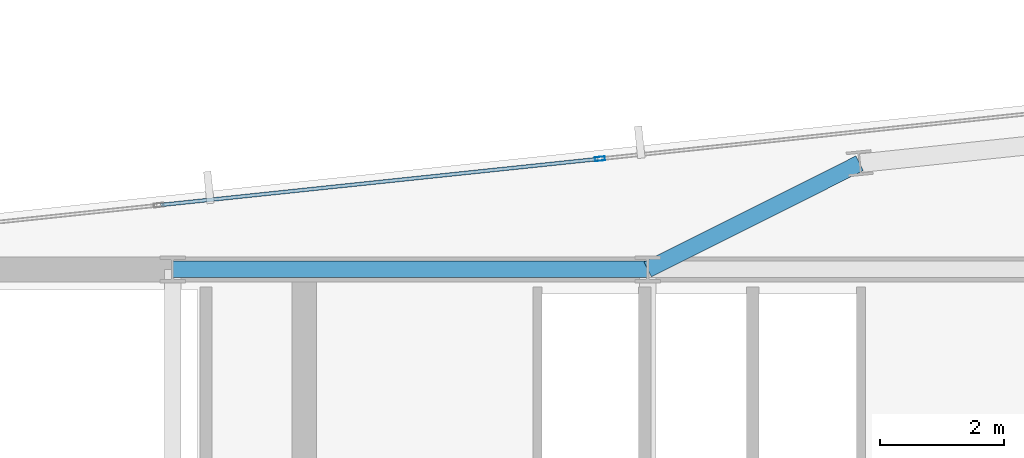
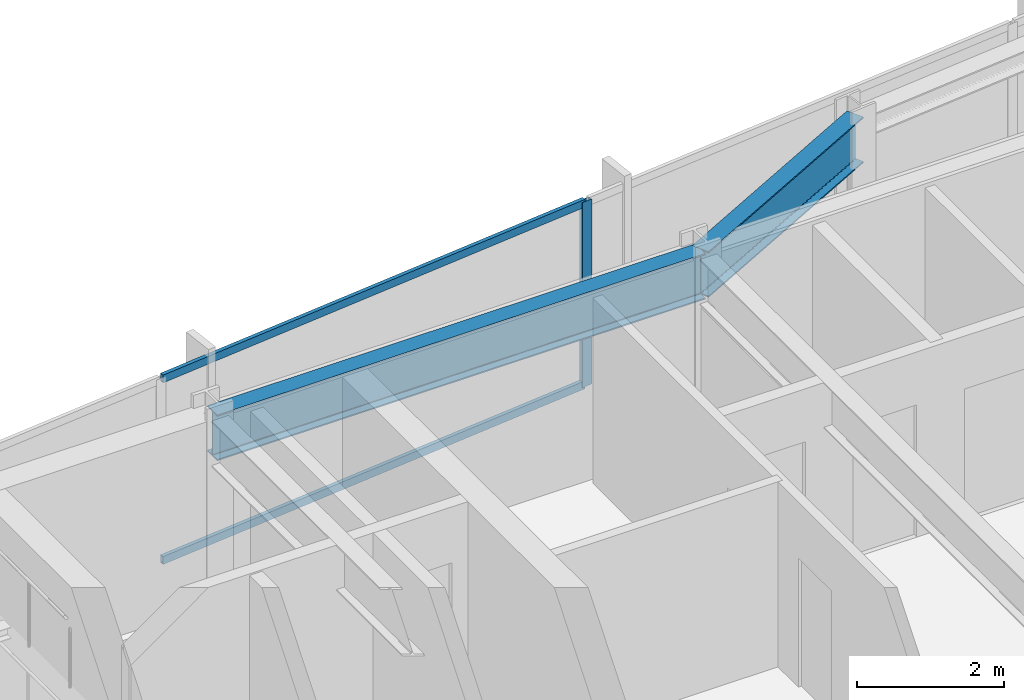
# One storey, part 21 of 33: 3 members, 2 beams, 1 element without a shape of its own.
"""IFC4 building model written with IfcOpenShell, lengths in metres."""

from ifc_helpers import new_model, si_unit, direction, frame, origin, origin_2d, place, context, subcontext, project, spatial, hollow_rectangle, i_section, extrude, material, material_profile, profile_set, type_object, element, aggregate, save


model = new_model("IFC4")

# Units and contexts
model_context = context("Model", 3, precision=1e-05, world=origin(), true_north=direction((0.0, 1.0)))
body_context = subcontext(model_context, "Body", "Model", "MODEL_VIEW")
ifc_project = project(units=[si_unit("LENGTHUNIT", "METRE"), si_unit("AREAUNIT", "SQUARE_METRE"), si_unit("VOLUMEUNIT", "CUBIC_METRE"), si_unit("PLANEANGLEUNIT", "RADIAN"), si_unit("MASSUNIT", "GRAM", prefix="KILO")], contexts=[model_context])

# Site, building, storey
site_placement = place(None, origin())
site = spatial("IfcSite", under=ifc_project, at=site_placement, CompositionType="ELEMENT")
building_placement = place(site_placement, origin())
building = spatial("IfcBuilding", under=site, at=building_placement, Name="Yelkora Congress Tower", CompositionType="ELEMENT")
storey_placement = place(building_placement, frame((0.0, 0.0, 224.300048828125)))
storey = spatial("IfcBuildingStorey", under=building, at=storey_placement, Name="L62", CompositionType="ELEMENT", Elevation=224.300048828125)

# Beams
ifc_material_1 = material(Name="Steel S355J2", Category="steel")
ifc_material_profile_1 = material_profile(ifc_material_1, i_section(OverallWidth=0.26708984375, OverallDepth=0.761962890625, WebThickness=0.014404296875, FlangeThickness=0.021484375, FilletRadius=0.01708984375, at=origin_2d()), Name="IPE 750x173")
ifc_profile_set_1 = profile_set([ifc_material_profile_1], Name="Steel S355J2")
beam_type = type_object("IfcBeamType", Name="BM-GIRD-IPE750", PredefinedType="BEAM", material=ifc_profile_set_1)
beam_1_placement = place(storey_placement, frame((30.719970703125, 46.199951171875, 2.698974609375), z_axis=(1.0, 0.0, 0.0), x_axis=(0.0, 1.0, 0.0)))
element("IfcBeam", 1, at=beam_1_placement, inside=storey, type_object=beam_type, Name="L62 Core North Girder 3", PredefinedType="BEAM", context=body_context, shape_type="SweptSolid", body=[
    extrude(i_section(OverallWidth=0.26708984375, OverallDepth=0.761962890625, WebThickness=0.014404296875, FlangeThickness=0.021484375, FilletRadius=0.01708984375, at=origin_2d()), origin(), (0.0, 0.0, 1.0), 7.679931640625),
])
beam_2_placement = place(storey_placement, frame((41.828125, 47.91748046875, 2.698974609375), z_axis=(-0.894070348256, -0.447926570288, 0.0), x_axis=(0.447926570288, -0.894070348256, 0.0)))
element("IfcBeam", 2, at=beam_2_placement, inside=storey, type_object=beam_type, Name="L62 Primary Frame Girder N04", PredefinedType="BEAM", context=body_context, shape_type="SweptSolid", body=[
    extrude(i_section(OverallWidth=0.26708984375, OverallDepth=0.761962890625, WebThickness=0.014404296875, FlangeThickness=0.021484375, FilletRadius=0.01708984375, at=origin_2d()), origin(), (0.0, 0.0, 1.0), 3.83447265625),
])

# Curtain wall, members
ifc_material_2 = material(Name="Anodised aluminium and insulated glass", Category="aluminium")
curtain_wall_type = type_object("IfcCurtainWallType", Name="CW-SYS-B4", PredefinedType="NOTDEFINED", material=ifc_material_2)
curtain_wall_placement = place(storey_placement, origin())
curtain_wall = element("IfcCurtainWall", 3, at=curtain_wall_placement, inside=storey, type_object=curtain_wall_type, Name="L62 Unitised Curtain Wall 10 (3)", PredefinedType="NOTDEFINED")
ifc_material_3 = material(Name="Anodised aluminium 6063-T6", Category="aluminium")
ifc_material_profile_2 = material_profile(ifc_material_3, hollow_rectangle(XDim=0.06494140625, YDim=0.159912109375, WallThickness=0.00390625, at=origin_2d()), Name="ALU 65x160x4")
ifc_profile_set_2 = profile_set([ifc_material_profile_2], Name="Anodised aluminium 6063-T6")
member_type_1 = type_object("IfcMemberType", Name="MEM-ML-B4", PredefinedType="MULLION", material=ifc_profile_set_2)
member_1_placement = place(storey_placement, frame((37.62744140625, 47.98876953125, 0.0), z_axis=(0.0, 0.0, 1.0), x_axis=(-0.104527724021, 0.994521973066, 0.0)))
member_1 = element("IfcMember", 4, at=member_1_placement, type_object=member_type_1, Name="CW-B4 mullion 3", PredefinedType="MULLION", context=body_context, shape_type="SweptSolid", body=[
    extrude(hollow_rectangle(XDim=0.06494140625, YDim=0.159912109375, WallThickness=0.00390625, at=origin_2d()), origin(), (0.0, 0.0, 1.0), 3.079833984375),
])
ifc_material_profile_3 = material_profile(ifc_material_3, hollow_rectangle(XDim=0.06005859375, YDim=0.1298828125, WallThickness=0.00390625, at=origin_2d()), Name="ALU 60x130x4")
ifc_profile_set_3 = profile_set([ifc_material_profile_3], Name="Anodised aluminium 6063-T6")
member_type_2 = type_object("IfcMemberType", Name="MEM-TR-B4", PredefinedType="USERDEFINED", material=ifc_profile_set_3)
member_2_placement = place(storey_placement, frame((30.529052734375, 47.24267578125, 0.030029296875), z_axis=(0.99452200925, 0.104527379751, 0.0), x_axis=(-0.104527379751, 0.99452200925, 0.0)))
member_2 = element("IfcMember", 5, at=member_2_placement, type_object=member_type_2, Name="CW-B4 transom 2.1", ObjectType="TRANSOM", PredefinedType="USERDEFINED", context=body_context, shape_type="SweptSolid", body=[
    extrude(hollow_rectangle(XDim=0.06005859375, YDim=0.1298828125, WallThickness=0.00390625, at=origin_2d()), origin(), (0.0, 0.0, 1.0), 7.10498046875),
])
member_3_placement = place(storey_placement, frame((30.529052734375, 47.24267578125, 3.050048828125), z_axis=(0.99452200925, 0.104527379751, 0.0), x_axis=(-0.104527379751, 0.99452200925, 0.0)))
member_3 = element("IfcMember", 6, at=member_3_placement, type_object=member_type_2, Name="CW-B4 transom 2.2", ObjectType="TRANSOM", PredefinedType="USERDEFINED", context=body_context, shape_type="SweptSolid", body=[
    extrude(hollow_rectangle(XDim=0.06005859375, YDim=0.1298828125, WallThickness=0.00390625, at=origin_2d()), origin(), (0.0, 0.0, 1.0), 7.10498046875),
])
aggregate(curtain_wall, [member_1, member_2, member_3])

save(model, "model.ifc")
